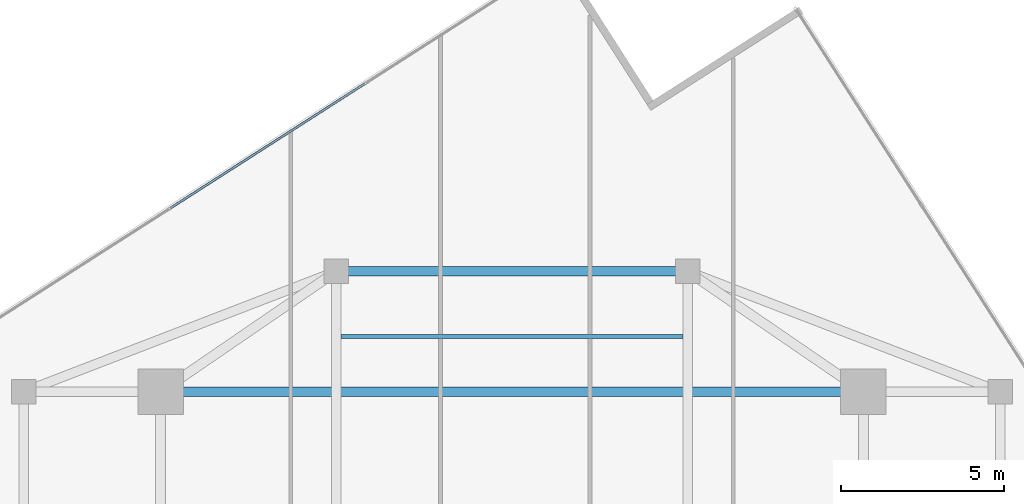
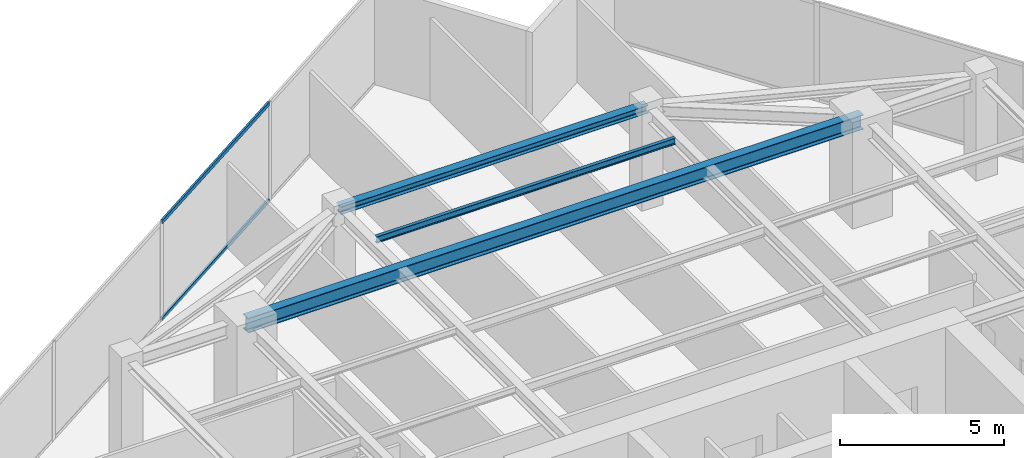
# One storey, part 13 of 20: 3 beams, 2 members, 1 element without a shape of its own.
"""IFC4 building model written with IfcOpenShell, lengths in metres."""

import ifcopenshell
import ifcopenshell.guid

model = None  # the IFC model being written
_history = None  # IfcOwnerHistory: only IFC2X3 demands one
_inside = {}  # id of a spatial element -> (the spatial element, [elements in it])
_under = {}  # id of a project, library or spatial element -> (it, [spatial elements below it])
_declared = {}  # id of a project -> (the project, [libraries it declares])
_typed = {}  # id of a type object -> (the type object, [elements of that type])
_made_of = {}  # id of a material, layer set ... -> (it, [elements and type objects made of it])


def new_model(schema):
    """Start an empty IFC model of exactly this schema.

    Asked for "IFC4X3", IfcOpenShell would pick the latest addendum, in which some entities
    have other attributes; the version numbers below select the first issue.
    IFC2X3 requires an IfcOwnerHistory on every rooted entity: one is made here for all.
    """
    global model, _history
    if schema == "IFC4X3":
        model = ifcopenshell.file(schema_version=(4, 3, 0, 0))
    else:
        model = ifcopenshell.file(schema=schema)
    _inside.clear()
    _under.clear()
    _declared.clear()
    _typed.clear()
    _made_of.clear()
    _history = None
    if model.schema == "IFC2X3":
        org = make("IfcOrganization", Name="unknown")
        user = make(
            "IfcPersonAndOrganization",
            ThePerson=make("IfcPerson", FamilyName="unknown"),
            TheOrganization=org,
        )
        app = make(
            "IfcApplication",
            ApplicationDeveloper=org,
            Version="unknown",
            ApplicationFullName="unknown",
            ApplicationIdentifier="unknown",
        )
        _history = make(
            "IfcOwnerHistory",
            OwningUser=user,
            OwningApplication=app,
            ChangeAction="ADDED",
            CreationDate=0,
        )
    return model


def make(cls, **values):
    """One entity of the class cls with the attributes given. An attribute that is None is left unset."""
    return model.create_entity(
        cls, **{name: value for name, value in values.items() if value is not None}
    )


def rooted(cls, **values):
    """An entity with a GlobalId (a new one), such as an element, a storey or a relation."""
    return make(cls, GlobalId=ifcopenshell.guid.new(), OwnerHistory=_history, **values)


def si_unit(unit_type, name, prefix=None):
    """IfcSIUnit, for example si_unit("LENGTHUNIT", "METRE", prefix="MILLI")."""
    return make("IfcSIUnit", UnitType=unit_type, Prefix=prefix, Name=name)


def assignment(units):
    """IfcUnitAssignment: the units of a project."""
    return None if units is None else make("IfcUnitAssignment", Units=units)


def point(xyz):
    """IfcCartesianPoint."""
    return None if xyz is None else make("IfcCartesianPoint", Coordinates=xyz)


def direction(xyz):
    """IfcDirection."""
    return None if xyz is None else make("IfcDirection", DirectionRatios=xyz)


def frame(location, z_axis=None, x_axis=None):
    """IfcAxis2Placement3D, a coordinate frame: its origin and axes. An axis left out is left unset."""
    return make(
        "IfcAxis2Placement3D",
        Location=point(location),
        Axis=direction(z_axis),
        RefDirection=direction(x_axis),
    )


def frame_2d(location, x_axis=None):
    """IfcAxis2Placement2D, a coordinate frame in the plane: its origin and x axis."""
    return make(
        "IfcAxis2Placement2D", Location=point(location), RefDirection=direction(x_axis)
    )


def origin():
    """The frame at (0, 0, 0) with its axes left unset."""
    return frame((0.0, 0.0, 0.0))


def origin_2d():
    """The frame at (0, 0) in the plane with its x axis left unset."""
    return frame_2d((0.0, 0.0))


def place(relative_to, where):
    """IfcLocalPlacement: puts the frame where relative to a parent placement (None: the world)."""
    return make(
        "IfcLocalPlacement", PlacementRelTo=relative_to, RelativePlacement=where
    )


def context(
    kind, dimensions, precision=None, world=None, true_north=None, identifier=None
):
    """IfcGeometricRepresentationContext, for example the 3D "Model" context."""
    return make(
        "IfcGeometricRepresentationContext",
        ContextIdentifier=identifier,
        ContextType=kind,
        CoordinateSpaceDimension=dimensions,
        Precision=precision,
        WorldCoordinateSystem=world,
        TrueNorth=true_north,
    )


def subcontext(parent, identifier, kind, view, scale=None):
    """IfcGeometricRepresentationSubContext, for example "Body" below "Model"."""
    return make(
        "IfcGeometricRepresentationSubContext",
        ContextIdentifier=identifier,
        ContextType=kind,
        ParentContext=parent,
        TargetScale=scale,
        TargetView=view,
    )


def project(units=None, contexts=None):
    """IfcProject with its units and contexts."""
    return rooted(
        "IfcProject",
        Name="project",
        RepresentationContexts=contexts,
        UnitsInContext=assignment(units),
    )


def spatial(cls, under=None, at=None, **own):
    """A site, building, storey or space (cls), placed at a placement, below another one or the project."""
    s = rooted(cls, ObjectPlacement=at, **own)
    if under is not None:
        _under.setdefault(under.id(), (under, []))[1].append(s)
    return s


def profile(cls, at=None, kind="AREA", **sizes):
    """A parametric profile (cls). Its sizes go by their IFC names, for example OverallWidth=200.0."""
    return make(cls, ProfileType=kind, Position=at, **sizes)


def hollow_rectangle(**sizes):
    """IfcRectangleHollowProfileDef."""
    return profile("IfcRectangleHollowProfileDef", **sizes)


def i_section(**sizes):
    """IfcIShapeProfileDef."""
    return profile("IfcIShapeProfileDef", **sizes)


def extrude(swept, where, along, depth):
    """IfcExtrudedAreaSolid: the profile swept, set in the frame where, extruded along a direction by depth."""
    return make(
        "IfcExtrudedAreaSolid",
        SweptArea=swept,
        Position=where,
        ExtrudedDirection=direction(along),
        Depth=depth,
    )


def shape(context_of_items, identifier, shape_type, items):
    """IfcShapeRepresentation: the items that make up one representation, for example the "Body"."""
    return make(
        "IfcShapeRepresentation",
        ContextOfItems=context_of_items,
        RepresentationIdentifier=identifier,
        RepresentationType=shape_type,
        Items=items,
    )


def source(mapping_origin, context_of_items, identifier, shape_type, items):
    """IfcRepresentationMap: a shape defined once, which mapped items show again and again."""
    return make(
        "IfcRepresentationMap",
        MappingOrigin=mapping_origin,
        MappedRepresentation=shape(context_of_items, identifier, shape_type, items),
    )


def transform(
    local_origin,
    x_axis=None,
    y_axis=None,
    z_axis=None,
    scale=None,
    scale2=None,
    scale3=None,
    uniform=True,
):
    """IfcCartesianTransformationOperator3D, or its non-uniform kind. x_axis, y_axis, z_axis: its Axis1, 2, 3."""
    if uniform:
        return make(
            "IfcCartesianTransformationOperator3D",
            Axis1=direction(x_axis),
            Axis2=direction(y_axis),
            LocalOrigin=point(local_origin),
            Scale=scale,
            Axis3=direction(z_axis),
        )
    return make(
        "IfcCartesianTransformationOperator3DnonUniform",
        Axis1=direction(x_axis),
        Axis2=direction(y_axis),
        LocalOrigin=point(local_origin),
        Scale=scale,
        Axis3=direction(z_axis),
        Scale2=scale2,
        Scale3=scale3,
    )


def mapped(mapping_source, mapping_target):
    """IfcMappedItem: shows the shape of a source again, moved by a transform."""
    return make(
        "IfcMappedItem", MappingSource=mapping_source, MappingTarget=mapping_target
    )


def material(Name=None, Category=None):
    """IfcMaterial."""
    return make("IfcMaterial", Name=Name, Category=Category)


def material_profile(
    of_material, cross_section, Name=None, Category=None, Priority=None
):
    """IfcMaterialProfile: a cross section and its material."""
    return make(
        "IfcMaterialProfile",
        Name=Name,
        Material=of_material,
        Profile=cross_section,
        Priority=Priority,
        Category=Category,
    )


def profile_set(profiles, Name=None, composite=None):
    """IfcMaterialProfileSet."""
    return make(
        "IfcMaterialProfileSet",
        Name=Name,
        MaterialProfiles=profiles,
        CompositeProfile=composite,
    )


def made_of(thing, what):
    """Note that an element or type object is made of a material, layer set ...; save() writes the relation."""
    if what is not None:
        _made_of.setdefault(what.id(), (what, []))[1].append(thing)
    return thing


def type_object(cls, material=None, **own):
    """A type object (cls), such as IfcWallType, which elements share."""
    return made_of(rooted(cls, **own), material)


def type_shapes(of_type, sources):
    """Give a type object the sources (RepresentationMaps) that its elements show as mapped items."""
    of_type.RepresentationMaps = sources


def element(
    cls,
    number,
    at=None,
    inside=None,
    cuts=None,
    type_object=None,
    material=None,
    context=None,
    identifier="Body",
    shape_type=None,
    held_by="IfcProductDefinitionShape",
    body=None,
    shapes=None,
    **own,
):
    """One element of the class cls, such as IfcWall. Its Tag is "e" and its number.

    at: its placement. inside: the storey or other place that contains it. cuts: it is an
    opening in that element (IfcRelVoidsElement). A single representation is given by context,
    identifier, shape_type and body (its items); several are given by shapes. held_by: the class
    of the entity that holds the representations. save() writes the other relations.
    """
    e = rooted(cls, Tag="e%d" % number, ObjectPlacement=at, **own)
    if body is not None:
        shapes = [shape(context, identifier, shape_type, body)]
    if shapes is not None:
        e.Representation = make(held_by, Representations=shapes)
    if inside is not None:
        _inside.setdefault(inside.id(), (inside, []))[1].append(e)
    if cuts is not None:
        rooted(
            "IfcRelVoidsElement", RelatingBuildingElement=cuts, RelatedOpeningElement=e
        )
    if type_object is not None:
        _typed.setdefault(type_object.id(), (type_object, []))[1].append(e)
    return made_of(e, material)


def aggregate(whole, parts):
    """IfcRelAggregates: a whole, such as a stair, and the parts it consists of."""
    return rooted("IfcRelAggregates", RelatingObject=whole, RelatedObjects=parts)


def save(model, path):
    """Write the relations noted so far, then the file.

    IfcRelAggregates (storeys below a building ...), IfcRelContainedInSpatialStructure (elements
    in a storey), IfcRelDefinesByType, IfcRelAssociatesMaterial and IfcRelDeclares: one each for
    every whole, place, type object, material and project.
    """
    for whole, parts in _under.values():
        aggregate(whole, parts)
    for where, things in _inside.values():
        rooted(
            "IfcRelContainedInSpatialStructure",
            RelatedElements=things,
            RelatingStructure=where,
        )
    for kind, things in _typed.values():
        rooted("IfcRelDefinesByType", RelatedObjects=things, RelatingType=kind)
    for what, things in _made_of.values():
        rooted("IfcRelAssociatesMaterial", RelatedObjects=things, RelatingMaterial=what)
    for by, libraries in _declared.values():
        rooted("IfcRelDeclares", RelatingContext=by, RelatedDefinitions=libraries)
    model.write(path)


model = new_model("IFC4")

# Units and contexts
model_context = context("Model", 3, precision=1e-05, world=origin(), true_north=direction((0.0, 1.0)))
body_context = subcontext(model_context, "Body", "Model", "MODEL_VIEW")
ifc_project = project(units=[si_unit("LENGTHUNIT", "METRE"), si_unit("AREAUNIT", "SQUARE_METRE"), si_unit("VOLUMEUNIT", "CUBIC_METRE"), si_unit("PLANEANGLEUNIT", "RADIAN"), si_unit("MASSUNIT", "GRAM", prefix="KILO")], contexts=[model_context])

# Site, building, storey
site_placement = place(None, origin())
site = spatial("IfcSite", under=ifc_project, at=site_placement, CompositionType="ELEMENT")
building_placement = place(site_placement, origin())
building = spatial("IfcBuilding", under=site, at=building_placement, Name="Krantzveldt Concourse Tower", CompositionType="ELEMENT")
storey_placement = place(building_placement, frame((0.0, 0.0, 287.14990234375)))
storey = spatial("IfcBuildingStorey", under=building, at=storey_placement, Name="L70", CompositionType="ELEMENT", Elevation=287.14990234375)

# Beams
ifc_material_1 = material(Name="Steel S355JR", Category="steel")
ifc_material_profile_1 = material_profile(ifc_material_1, i_section(OverallWidth=0.300048828125, OverallDepth=0.5400390625, WebThickness=0.012451171875, FlangeThickness=0.02392578125, FilletRadius=0.027099609375, at=origin_2d()), Name="Steel S355JR", Category="steel")
ifc_profile_set_1 = profile_set([ifc_material_profile_1], Name="Steel S355JR - HEA 550")
beam_type_1 = type_object("IfcBeamType", Name="BM-B-HEA550", PredefinedType="BEAM", material=ifc_profile_set_1)
shared_shape_1 = source(origin(), body_context, "Body", "SweptSolid", [
    extrude(i_section(OverallWidth=0.300048828125, OverallDepth=0.5400390625, WebThickness=0.012451171875, FlangeThickness=0.02392578125, FilletRadius=0.027099609375, at=origin_2d()), origin(), (0.0, 0.0, 1.0), 21.60009765625),
])
type_shapes(beam_type_1, [shared_shape_1])
beam_1_placement = place(storey_placement, frame((25.199951171875, 37.5, 3.400146484375), z_axis=(1.0, 0.0, 0.0), x_axis=(0.0, 1.0, 0.0)))
element("IfcBeam", 1, at=beam_1_placement, inside=storey, type_object=beam_type_1, Name="L70 Tower Girder BG-MN", PredefinedType="BEAM", context=body_context, shape_type="MappedRepresentation", body=[
    mapped(shared_shape_1, transform((0.0, 0.0, 0.0), x_axis=(1.0, 0.0, 0.0), y_axis=(0.0, 1.0, 0.0), z_axis=(0.0, 0.0, 1.0), scale=1.0)),
])
ifc_material_profile_2 = material_profile(ifc_material_1, i_section(OverallWidth=0.2900390625, OverallDepth=0.2900390625, WebThickness=0.008544921875, FlangeThickness=0.013916015625, FilletRadius=0.027099609375, at=origin_2d()), Name="Steel S355JR", Category="steel")
ifc_profile_set_2 = profile_set([ifc_material_profile_2], Name="Steel S355JR - HEA 300")
beam_type_2 = type_object("IfcBeamType", Name="BM-SP-HEA300", PredefinedType="SPANDREL", material=ifc_profile_set_2)
shared_shape_2 = source(origin(), body_context, "Body", "SweptSolid", [
    extrude(i_section(OverallWidth=0.2900390625, OverallDepth=0.2900390625, WebThickness=0.008544921875, FlangeThickness=0.013916015625, FilletRadius=0.027099609375, at=origin_2d()), origin(), (0.0, 0.0, 1.0), 10.7998046875),
])
type_shapes(beam_type_2, [shared_shape_2])
beam_2_placement = place(storey_placement, frame((30.60009765625, 41.199951171875, 3.525146484375), z_axis=(1.0, 0.0, 0.0), x_axis=(0.0, 1.0, 0.0)))
element("IfcBeam", 2, at=beam_2_placement, inside=storey, type_object=beam_type_2, Name="L70 Tower Girder SP-R04", PredefinedType="SPANDREL", context=body_context, shape_type="MappedRepresentation", body=[
    mapped(shared_shape_2, transform((0.0, 0.0, 0.0), x_axis=(1.0, 0.0, 0.0), y_axis=(0.0, 1.0, 0.0), z_axis=(0.0, 0.0, 1.0), scale=1.0)),
])
ifc_material_profile_3 = material_profile(ifc_material_1, i_section(OverallWidth=0.1201171875, OverallDepth=0.239990234375, WebThickness=0.006103515625, FlangeThickness=0.009765625, FilletRadius=0.014892578125, at=origin_2d()), Name="Steel S355JR", Category="steel")
ifc_profile_set_3 = profile_set([ifc_material_profile_3], Name="Steel S355JR - IPE 240")
beam_type_3 = type_object("IfcBeamType", Name="BM-LN-IPE240", PredefinedType="LINTEL", material=ifc_profile_set_3)
shared_shape_3 = source(origin(), body_context, "Body", "SweptSolid", [
    extrude(i_section(OverallWidth=0.1201171875, OverallDepth=0.239990234375, WebThickness=0.006103515625, FlangeThickness=0.009765625, FilletRadius=0.014892578125, at=origin_2d()), origin(), (0.0, 0.0, 1.0), 10.5),
])
type_shapes(beam_type_3, [shared_shape_3])
beam_3_placement = place(storey_placement, frame((30.75, 39.199951171875, 3.550048828125), z_axis=(1.0, 0.0, 0.0), x_axis=(0.0, 1.0, 0.0)))
element("IfcBeam", 3, at=beam_3_placement, inside=storey, type_object=beam_type_3, Name="L70 Secondary Floor Joist JN-C3", PredefinedType="LINTEL", context=body_context, shape_type="MappedRepresentation", body=[
    mapped(shared_shape_3, transform((0.0, 0.0, 0.0), x_axis=(1.0, 0.0, 0.0), y_axis=(0.0, 1.0, 0.0), z_axis=(0.0, 0.0, 1.0), scale=1.0)),
])

# Curtain wall, members
ifc_material_2 = material(Name="Anodised aluminium 6063-T6", Category="aluminium")
curtain_wall_type = type_object("IfcCurtainWallType", Name="CW4", PredefinedType="USERDEFINED", material=ifc_material_2)
curtain_wall_placement = place(storey_placement, origin())
curtain_wall = element("IfcCurtainWall", 4, at=curtain_wall_placement, inside=storey, type_object=curtain_wall_type, Name="CW-L70-F01", ObjectType="UNITISED CURTAIN WALL", PredefinedType="USERDEFINED")
ifc_material_profile_4 = material_profile(ifc_material_2, hollow_rectangle(XDim=0.070068359375, YDim=0.139892578125, WallThickness=0.0048828125, at=origin_2d()), Name="Anodised aluminium 6063-T6", Category="aluminium")
ifc_profile_set_4 = profile_set([ifc_material_profile_4], Name="Anodised aluminium 6063-T6 - ALU-TRAN 140x70x5")
member_type = type_object("IfcMemberType", Name="CW-TRN-150", PredefinedType="USERDEFINED", material=ifc_profile_set_4)
shared_shape_4 = source(origin(), body_context, "Body", "SweptSolid", [
    extrude(hollow_rectangle(XDim=0.070068359375, YDim=0.139892578125, WallThickness=0.0048828125, at=origin_2d()), origin(), (0.0, 0.0, 1.0), 7.079833984375),
])
type_shapes(member_type, [shared_shape_4])
member_1_placement = place(storey_placement, frame((31.473876953125, 46.967529296875, 0.03515625), z_axis=(-0.842230064707, -0.539118278399, 0.0), x_axis=(0.539118278399, -0.842230064707, 0.0)))
member_1 = element("IfcMember", 5, at=member_1_placement, type_object=member_type, Name="CW-Z56 transom 2.1", ObjectType="TRANSOM", PredefinedType="USERDEFINED", context=body_context, shape_type="MappedRepresentation", body=[
    mapped(shared_shape_4, transform((0.0, 0.0, 0.0), x_axis=(1.0, 0.0, 0.0), y_axis=(0.0, 1.0, 0.0), z_axis=(0.0, 0.0, 1.0), scale=1.0)),
])
member_2_placement = place(storey_placement, frame((31.473876953125, 46.967529296875, 3.635009765625), z_axis=(-0.842230064707, -0.539118278399, 0.0), x_axis=(0.539118278399, -0.842230064707, 0.0)))
member_2 = element("IfcMember", 6, at=member_2_placement, type_object=member_type, Name="CW-Z56 transom 2.2", ObjectType="TRANSOM", PredefinedType="USERDEFINED", context=body_context, shape_type="MappedRepresentation", body=[
    mapped(shared_shape_4, transform((0.0, 0.0, 0.0), x_axis=(1.0, 0.0, 0.0), y_axis=(0.0, 1.0, 0.0), z_axis=(0.0, 0.0, 1.0), scale=1.0)),
])
aggregate(curtain_wall, [member_1, member_2])

save(model, "model.ifc")
